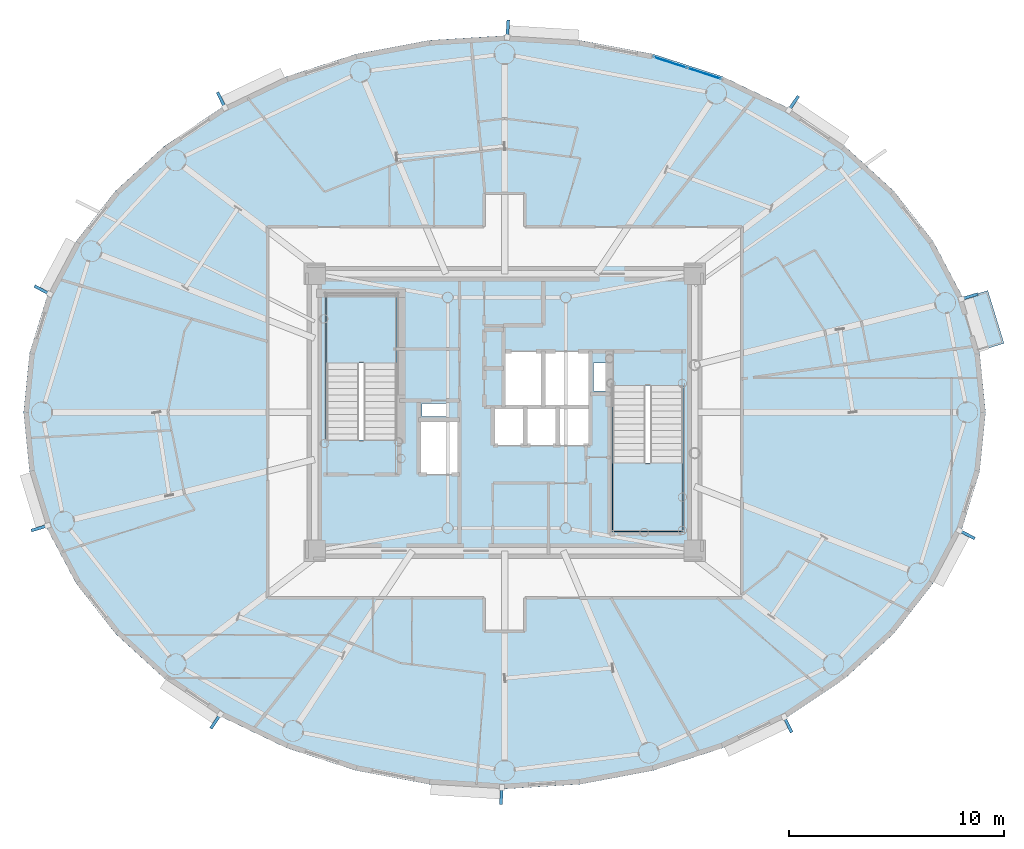
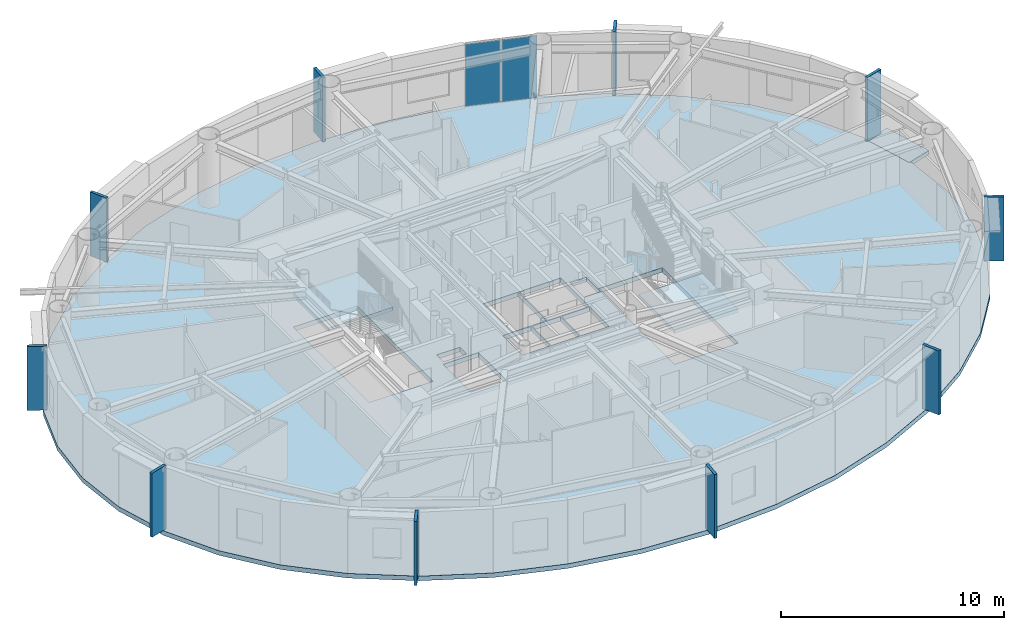
# One storey, part 5 of 18: 12 plates, 4 slabs, 3 elements without a shape of their own.
"""IFC4 building model written with IfcOpenShell, lengths in metres."""

from ifc_helpers import new_model, si_unit, direction, frame, origin, origin_2d, place, context, subcontext, project, spatial, polyline, rectangle, outline, extrude, source, transform, mapped, material, layer, layer_set, type_object, element, aggregate, save


model = new_model("IFC4")

# Units and contexts
model_context = context("Model", 3, precision=1e-05, world=origin(), true_north=direction((0.0, 1.0)))
body_context = subcontext(model_context, "Body", "Model", "MODEL_VIEW")
ifc_project = project(units=[si_unit("LENGTHUNIT", "METRE"), si_unit("AREAUNIT", "SQUARE_METRE"), si_unit("VOLUMEUNIT", "CUBIC_METRE"), si_unit("PLANEANGLEUNIT", "RADIAN"), si_unit("MASSUNIT", "GRAM", prefix="KILO")], contexts=[model_context])

# Site, building, storey
site_placement = place(None, origin())
site = spatial("IfcSite", under=ifc_project, at=site_placement, CompositionType="ELEMENT")
building_placement = place(site_placement, origin())
building = spatial("IfcBuilding", under=site, at=building_placement, Name="Linh Dai School and Residence Tower", CompositionType="ELEMENT")
storey_placement = place(building_placement, frame((0.0, 0.0, 273.0)))
storey = spatial("IfcBuildingStorey", under=building, at=storey_placement, Name="L67", CompositionType="ELEMENT", Elevation=273.0)

# Slabs
ifc_material_1 = material(Name="Concrete B45 (C35/45)", Category="concrete")
ifc_layer_1 = layer(ifc_material_1, 0.219970703125)
ifc_layer_set_1 = layer_set([ifc_layer_1], Name="Concrete B45 (C35/45)")
slab_type_1 = type_object("IfcSlabType", Name="SLB-BALC-220", PredefinedType="FLOOR", material=ifc_layer_set_1)
slab_1_placement = place(storey_placement, frame((0.0, 0.0, -0.219970703125)))
element("IfcSlab", 1, at=slab_1_placement, inside=storey, type_object=slab_type_1, Name="L67 Sliding Balcony Slab 02", PredefinedType="FLOOR", context=body_context, shape_type="SweptSolid", body=[
    extrude(outline(polyline([(57.260498046875, 32.289794921875), (58.015380859375, 29.827880859375), (59.25830078125, 30.208984375), (58.50341796875, 32.6708984375), (57.260498046875, 32.289794921875)])), origin(), (0.0, 0.0, 1.0), 0.219970703125),
])
ifc_layer_2 = layer(ifc_material_1, 0.25)
ifc_layer_set_2 = layer_set([ifc_layer_2], Name="Concrete B45 (C35/45)")
slab_type_2 = type_object("IfcSlabType", Name="SLB-FLR250", PredefinedType="FLOOR", material=ifc_layer_set_2)
slab_2_placement = place(storey_placement, frame((0.0, 0.0, -0.25)))
element("IfcSlab", 2, at=slab_2_placement, inside=storey, type_object=slab_type_2, Name="L67 Composite Structural Floor Slab", PredefinedType="FLOOR", context=body_context, shape_type="SweptSolid", body=[
    extrude(outline(polyline([(58.39990234375, 27.0), (58.124267578125, 29.743896484375), (57.3037109375, 32.420166015625), (55.95849609375, 34.962890625), (54.1220703125, 37.309814453125), (51.839111328125, 39.402587890625), (49.16650390625, 41.190185546875), (46.16943359375, 42.628173828125), (42.921875, 43.681640625), (39.504150390625, 44.323974609375), (36.0, 44.5400390625), (32.495849609375, 44.323974609375), (29.078125, 43.681640625), (25.83056640625, 42.628173828125), (22.83349609375, 41.190185546875), (20.160888671875, 39.402587890625), (17.8779296875, 37.309814453125), (16.04150390625, 34.962890625), (14.6962890625, 32.420166015625), (13.875732421875, 29.743896484375), (13.60009765625, 27.0), (13.875732421875, 24.256103515625), (14.6962890625, 21.579833984375), (16.04150390625, 19.037109375), (17.8779296875, 16.690185546875), (20.160888671875, 14.597412109375), (22.83349609375, 12.809814453125), (25.83056640625, 11.371826171875), (29.078125, 10.318359375), (32.495849609375, 9.676025390625), (36.0, 9.4599609375), (39.504150390625, 9.676025390625), (42.921875, 10.318359375), (46.16943359375, 11.371826171875), (49.16650390625, 12.809814453125), (51.839111328125, 14.597412109375), (54.1220703125, 16.690185546875), (55.95849609375, 19.037109375), (57.3037109375, 21.579833984375), (58.124267578125, 24.256103515625), (58.39990234375, 27.0)]), holes=[polyline([(30.97998046875, 25.699951171875), (30.97998046875, 32.5), (27.679931640625, 32.5), (27.679931640625, 25.699951171875), (30.97998046875, 25.699951171875)]), polyline([(41.02001953125, 28.25), (41.02001953125, 21.449951171875), (44.320068359375, 21.449951171875), (44.320068359375, 28.25), (41.02001953125, 28.25)]), polyline([(35.97998046875, 27.280029296875), (37.77001953125, 27.280029296875), (37.77001953125, 29.820068359375), (35.97998046875, 29.820068359375), (35.97998046875, 27.280029296875)]), polyline([(32.030029296875, 24.1298828125), (33.8701171875, 24.1298828125), (33.8701171875, 26.6201171875), (32.030029296875, 26.6201171875), (32.030029296875, 24.1298828125)]), polyline([(37.830078125, 27.280029296875), (39.969970703125, 27.280029296875), (39.969970703125, 29.820068359375), (37.830078125, 29.820068359375), (37.830078125, 27.280029296875)]), polyline([(35.47998046875, 25.47998046875), (36.929931640625, 25.47998046875), (36.929931640625, 27.219970703125), (35.47998046875, 27.219970703125), (35.47998046875, 25.47998046875)]), polyline([(36.989990234375, 25.47998046875), (38.449951171875, 25.47998046875), (38.449951171875, 27.219970703125), (36.989990234375, 27.219970703125), (36.989990234375, 25.47998046875)]), polyline([(38.510009765625, 25.47998046875), (39.969970703125, 25.47998046875), (39.969970703125, 27.219970703125), (38.510009765625, 27.219970703125), (38.510009765625, 25.47998046875)]), polyline([(40.14990234375, 28.0), (40.14990234375, 29.300048828125), (41.0, 29.300048828125), (41.0, 28.280029296875), (40.989990234375, 28.280029296875), (40.989990234375, 28.0), (40.14990234375, 28.0)]), polyline([(32.14990234375, 26.800048828125), (33.35009765625, 26.800048828125), (33.35009765625, 27.39990234375), (32.14990234375, 27.39990234375), (32.14990234375, 26.800048828125)])]), origin(), (0.0, 0.0, 1.0), 0.25),
])

# Stair, slab
stair_type = type_object("IfcStairType", Name="ST-DOG-1550-R1442", PredefinedType="HALF_TURN_STAIR", material=ifc_material_1)
stair_1_placement = place(storey_placement, origin())
stair_1 = element("IfcStair", 3, at=stair_1_placement, inside=storey, type_object=stair_type, Name="L67 Core Smokeproof Exit Stair ST1", PredefinedType="HALF_TURN_STAIR")
ifc_layer_3 = layer(ifc_material_1, 0.199951171875)
ifc_layer_set_3 = layer_set([ifc_layer_3], Name="Concrete B45 (C35/45)")
slab_type_3 = type_object("IfcSlabType", Name="SLB-ST-LANDING-200", PredefinedType="LANDING", material=ifc_layer_set_3)
slab_3_placement = place(storey_placement, frame((0.0, 0.0, 1.675048828125)))
slab_3 = element("IfcSlab", 4, at=slab_3_placement, type_object=slab_type_3, Name="ST1 landing 1", PredefinedType="LANDING", context=body_context, shape_type="SweptSolid", body=[
    extrude(outline(polyline([(30.97998046875, 29.300048828125), (30.97998046875, 32.5), (27.679931640625, 32.5), (27.679931640625, 29.300048828125), (30.97998046875, 29.300048828125)])), origin(), (0.0, 0.0, 1.0), 0.199951171875),
])
aggregate(stair_1, [slab_3])

stair_2_placement = place(storey_placement, origin())
stair_2 = element("IfcStair", 5, at=stair_2_placement, inside=storey, type_object=stair_type, Name="L67 Core Smokeproof Exit Stair ST2", PredefinedType="HALF_TURN_STAIR")
slab_4_placement = place(storey_placement, frame((0.0, 0.0, 1.675048828125)))
slab_4 = element("IfcSlab", 6, at=slab_4_placement, type_object=slab_type_3, Name="ST2 landing 1", PredefinedType="LANDING", context=body_context, shape_type="SweptSolid", body=[
    extrude(outline(polyline([(41.02001953125, 24.64990234375), (41.02001953125, 21.449951171875), (44.320068359375, 21.449951171875), (44.320068359375, 24.64990234375), (41.02001953125, 24.64990234375)])), origin(), (0.0, 0.0, 1.0), 0.199951171875),
])
aggregate(stair_2, [slab_4])

# Plates
ifc_material_2 = material(Name="Precast Concrete B45 (C35/45)", Category="concrete")
ifc_layer_4 = layer(ifc_material_2, 0.139892578125)
ifc_layer_set_4 = layer_set([ifc_layer_4], Name="Precast Concrete B45 (C35/45)")
plate_type_1 = type_object("IfcPlateType", Name="FIN-TC-900x140", PredefinedType="USERDEFINED", material=ifc_layer_set_4)
shared_shape_1 = source(origin(), body_context, "Body", "SweptSolid", [
    extrude(rectangle(XDim=0.89990234375, YDim=0.139892578125, at=origin_2d()), origin(), (0.0, 0.0, 1.0), 3.5),
])
for number, where, z_axis, x_axis, name in (
    (7, (57.615478515625, 32.377685546875, 0.0), (0.0, 0.0, 1.0), (0.956069236934, 0.293140945944, 0.0), "L67 Precast Terracotta Radial Fin 02"),
    (8, (49.43212890625, 41.355712890625, 0.0), (0.0, 0.0, 1.0), (0.555907926874, 0.831243873264, 0.0), "L67 Precast Terracotta Radial Fin 06"),
    (9, (36.14501953125, 44.81689453125, 0.0), (0.0, 0.0, 1.0), (0.061509965157, 0.998106469364, 0.0), "L67 Precast Terracotta Radial Fin 10"),
    (10, (22.826171875, 41.503173828125, 0.0), (0.0, 0.0, 1.0), (-0.432611916456, 0.901580240323, 0.0), "L67 Precast Terracotta Radial Fin 14"),
    (11, (14.50537109375, 32.669921875, 0.0), (0.0, 0.0, 1.0), (-0.883938310975, 0.467603531201, 0.0), "L67 Precast Terracotta Radial Fin 18"),
    (12, (14.384521484375, 21.622314453125, 0.0), (0.0, 0.0, 1.0), (-0.956069236934, -0.293140945944, 0.0), "L67 Precast Terracotta Radial Fin 22"),
    (13, (22.56787109375, 12.644287109375, 0.0), (0.0, 0.0, 1.0), (-0.555905765624, -0.831245318631, 0.0), "L67 Precast Terracotta Radial Fin 26"),
    (14, (35.85498046875, 9.18310546875, 0.0), (0.0, 0.0, 1.0), (-0.061509965157, -0.998106469364, 0.0), "L67 Precast Terracotta Radial Fin 30"),
    (15, (49.173828125, 12.496826171875, 0.0), (0.0, 0.0, 1.0), (0.432611916456, -0.901580240323, 0.0), "L67 Precast Terracotta Radial Fin 34"),
    (16, (57.49462890625, 21.330078125, 0.0), (0.0, 0.0, 1.0), (0.883938310975, -0.467603531201, 0.0), "L67 Precast Terracotta Radial Fin 38"),
):
    element("IfcPlate", number, at=place(storey_placement, frame(where, z_axis=z_axis, x_axis=x_axis)), inside=storey, type_object=plate_type_1, Name=name, ObjectType="RADIAL FIN", PredefinedType="USERDEFINED", context=body_context, shape_type="MappedRepresentation", body=[
        mapped(shared_shape_1, transform((0.0, 0.0, 0.0), x_axis=(1.0, 0.0, 0.0), y_axis=(0.0, 1.0, 0.0), z_axis=(0.0, 0.0, 1.0), scale=1.0)),
    ])

# Curtain wall, plates
ifc_material_3 = material(Name="Aluminium Anodised Curtain Wall", Category="aluminium")
ifc_layer_5 = layer(ifc_material_3, 0.14990234375)
ifc_layer_set_5 = layer_set([ifc_layer_5], Name="Aluminium Anodised Curtain Wall")
curtain_wall_type = type_object("IfcCurtainWallType", Name="CW-SYS-4", PredefinedType="USERDEFINED", material=ifc_layer_set_5)
curtain_wall_placement = place(storey_placement, origin())
curtain_wall = element("IfcCurtainWall", 17, at=curtain_wall_placement, inside=storey, type_object=curtain_wall_type, Name="L67 CW4 Curtain Wall 08", ObjectType="RIBBON CURTAIN WALL", PredefinedType="USERDEFINED")
ifc_material_4 = material(Name="Double Low-E Insulated Glazing", Category="glass")
ifc_layer_6 = layer(ifc_material_4, 0.02587890625)
ifc_layer_set_6 = layer_set([ifc_layer_6], Name="Double Low-E Insulated Glazing")
plate_type_2 = type_object("IfcPlateType", Name="CW-SYS-4-PAN", PredefinedType="CURTAIN_PANEL", material=ifc_layer_set_6)
shared_shape_2 = source(origin(), body_context, "Body", "SweptSolid", [
    extrude(rectangle(XDim=1.620849609375, YDim=0.02587890625, at=origin_2d()), origin(), (0.0, 0.0, 1.0), 3.39599609375),
])
plate_1_placement = place(storey_placement, frame((43.71142578125, 43.29443359375, 0.052001953125), z_axis=(0.0, 0.0, 1.0), x_axis=(0.951218243545, -0.308518805176, 0.0)))
plate_1 = element("IfcPlate", 18, at=plate_1_placement, type_object=plate_type_2, Name="CW4 panel 1.1", PredefinedType="CURTAIN_PANEL", context=body_context, shape_type="MappedRepresentation", body=[
    mapped(shared_shape_2, transform((0.0, 0.0, 0.0), x_axis=(1.0, 0.0, 0.0), y_axis=(0.0, 1.0, 0.0), z_axis=(0.0, 0.0, 1.0), scale=1.0)),
])
plate_2_placement = place(storey_placement, frame((45.302734375, 42.7783203125, 0.052001953125), z_axis=(0.0, 0.0, 1.0), x_axis=(0.951218243545, -0.308518805176, 0.0)))
plate_2 = element("IfcPlate", 19, at=plate_2_placement, type_object=plate_type_2, Name="CW4 panel 2.1", PredefinedType="CURTAIN_PANEL", context=body_context, shape_type="MappedRepresentation", body=[
    mapped(shared_shape_2, transform((0.0, 0.0, 0.0), x_axis=(1.0, 0.0, 0.0), y_axis=(0.0, 1.0, 0.0), z_axis=(0.0, 0.0, 1.0), scale=1.0)),
])
aggregate(curtain_wall, [plate_1, plate_2])

save(model, "model.ifc")
